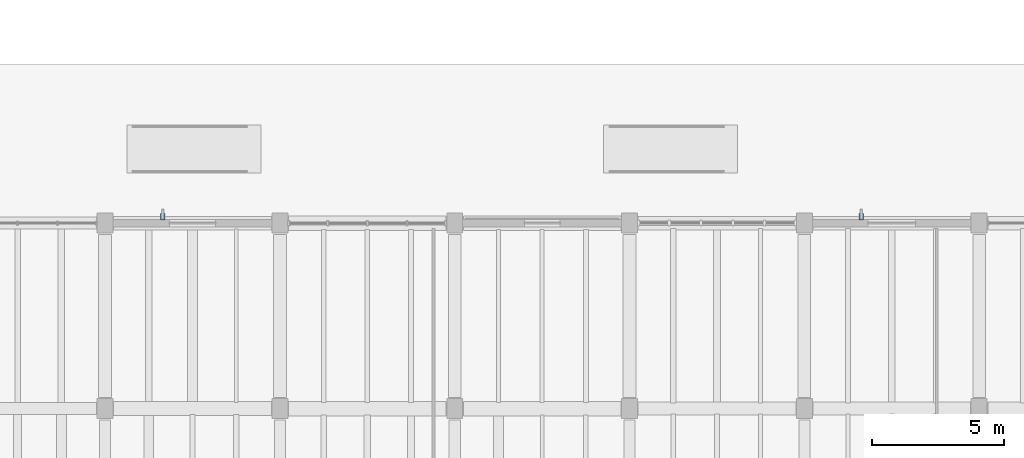
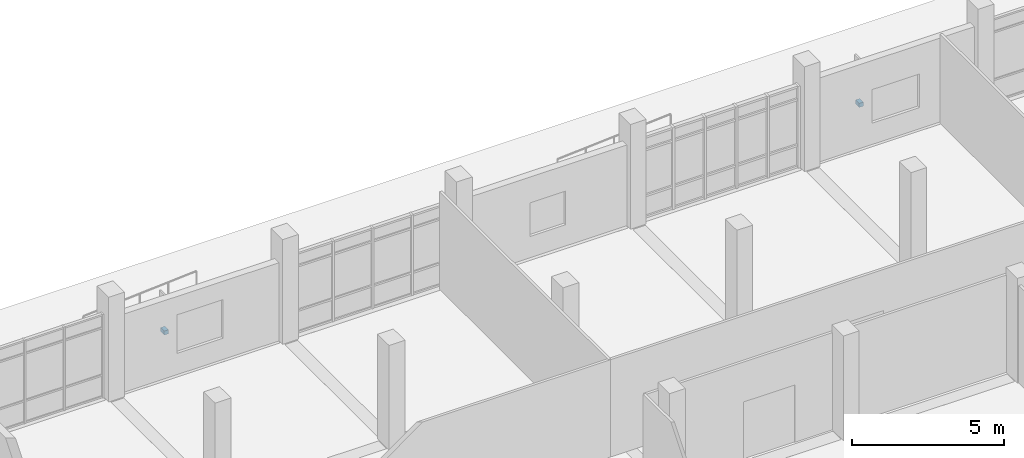
# One storey, part 55 of 69: 2 discrete accessories.
"""IFC4 building model written with IfcOpenShell, lengths in metres."""

from ifc_helpers import new_model, si_unit, direction, frame, origin, origin_2d, place, context, subcontext, project, spatial, rectangle, extrude, material, type_object, element, save


model = new_model("IFC4")

# Units and contexts
model_context = context("Model", 3, precision=1e-05, world=origin(), true_north=direction((0.0, 1.0)))
body_context = subcontext(model_context, "Body", "Model", "MODEL_VIEW")
ifc_project = project(units=[si_unit("LENGTHUNIT", "METRE"), si_unit("AREAUNIT", "SQUARE_METRE"), si_unit("VOLUMEUNIT", "CUBIC_METRE"), si_unit("PLANEANGLEUNIT", "RADIAN"), si_unit("MASSUNIT", "GRAM", prefix="KILO")], contexts=[model_context])

# Site, building, storey
site_placement = place(None, origin())
site = spatial("IfcSite", under=ifc_project, at=site_placement, CompositionType="ELEMENT")
building_placement = place(site_placement, origin())
building = spatial("IfcBuilding", under=site, at=building_placement, Name="Ciguamira Faculty of Natural Sciences", CompositionType="ELEMENT")
storey_placement = place(building_placement, origin())
storey = spatial("IfcBuildingStorey", under=building, at=storey_placement, Name="L00", CompositionType="ELEMENT", Elevation=0.0)

# Discrete accessories
ifc_material = material(Name="Stainless steel fixing bracket", Category="steel")
discrete_accessory_type = type_object("IfcDiscreteAccessoryType", Name="FacadeBracket_BK01", PredefinedType="BRACKET", material=ifc_material)
for number, where, z_axis, x_axis, name in (
    (1, (13.27490234375, 24.239990234375, 1.544921875), (0.0, 0.0, 1.0), (1.0, 0.0, 0.0), "L00 sunshade fixing bracket 0001"),
    (2, (39.64990234375, 24.239990234375, 1.44482421875), (0.0, 0.0, 1.0), (1.0, 0.0, 0.0), "L00 sunshade fixing bracket 0002"),
):
    element("IfcDiscreteAccessory", number, at=place(storey_placement, frame(where, z_axis=z_axis, x_axis=x_axis)), inside=storey, type_object=discrete_accessory_type, Name=name, PredefinedType="BRACKET", context=body_context, shape_type="SweptSolid", body=[
        extrude(rectangle(XDim=0.159912109375, YDim=0.239990234375, at=origin_2d()), origin(), (0.0, 0.0, 1.0), 0.159912109375),
    ])

save(model, "model.ifc")
